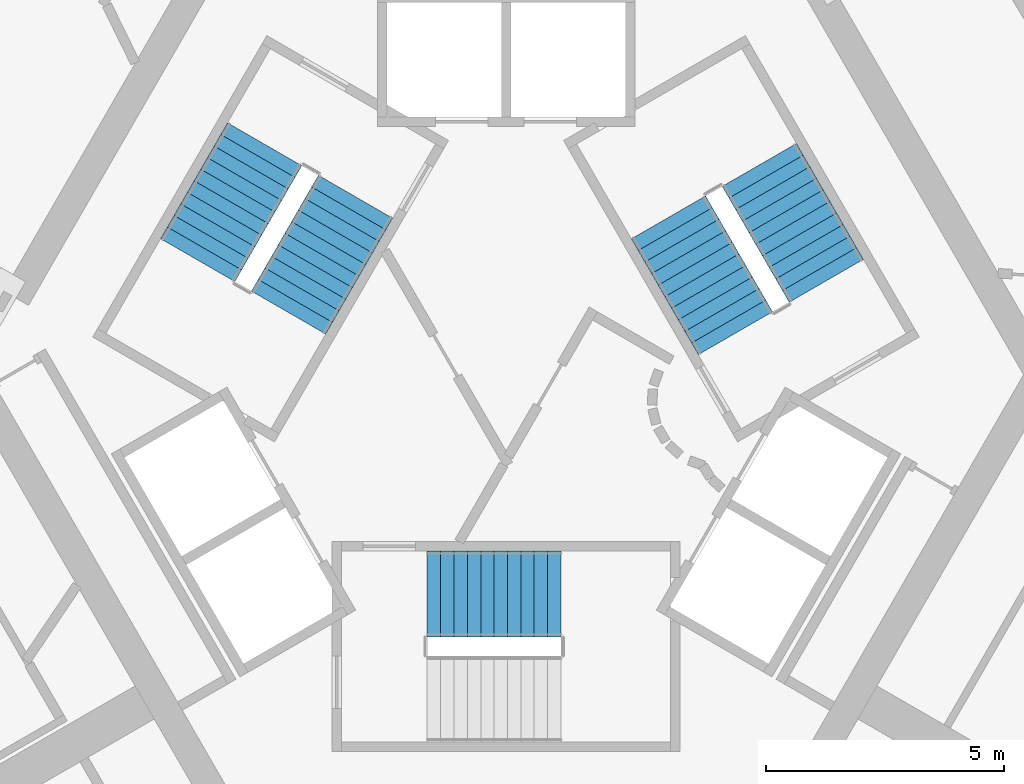
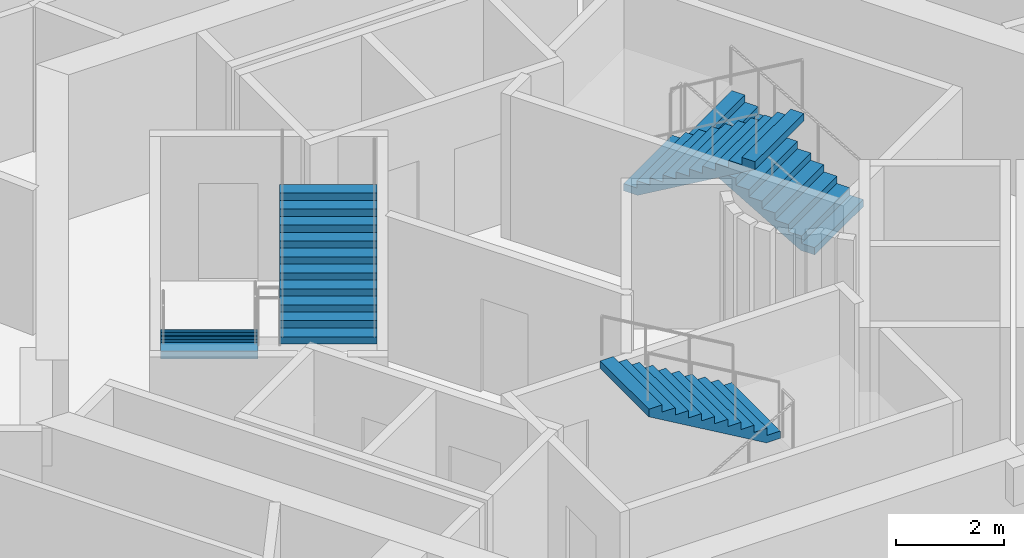
# One storey, part 10 of 13: 5 stair flights, 3 elements without a shape of their own.
"""IFC4 building model written with IfcOpenShell, lengths in metres."""

from ifc_helpers import new_model, si_unit, direction, frame, origin, place, context, subcontext, project, spatial, polyline, outline, extrude, material, type_object, element, aggregate, save


model = new_model("IFC4")

# Units and contexts
model_context = context("Model", 3, precision=1e-05, world=origin(), true_north=direction((0.0, 1.0)))
body_context = subcontext(model_context, "Body", "Model", "MODEL_VIEW")
ifc_project = project(units=[si_unit("LENGTHUNIT", "METRE"), si_unit("AREAUNIT", "SQUARE_METRE"), si_unit("VOLUMEUNIT", "CUBIC_METRE"), si_unit("PLANEANGLEUNIT", "RADIAN"), si_unit("MASSUNIT", "GRAM", prefix="KILO")], contexts=[model_context])

# Site, building, storey
site_placement = place(None, origin())
site = spatial("IfcSite", under=ifc_project, at=site_placement, CompositionType="ELEMENT")
building_placement = place(site_placement, origin())
building = spatial("IfcBuilding", under=site, at=building_placement, Name="Entoto Arch Interchange Tower", CompositionType="ELEMENT")
storey_placement = place(building_placement, frame((0.0, 0.0, 266.60009765625)))
storey = spatial("IfcBuildingStorey", under=building, at=storey_placement, Name="L61", CompositionType="ELEMENT", Elevation=266.60009765625)

# Stair, stair flight
ifc_material = material(Name="Concrete C40/50", Category="concrete")
stair_type = type_object("IfcStairType", Name="EXIT STAIR RC 1800", PredefinedType="HALF_TURN_STAIR", material=ifc_material)
stair_1_placement = place(storey_placement, origin())
stair_1 = element("IfcStair", 1, at=stair_1_placement, inside=storey, type_object=stair_type, Name="L61 Exit stair S", PredefinedType="HALF_TURN_STAIR")
stair_flight_type = type_object("IfcStairFlightType", Name="EXIT STAIR FLIGHT RC 1800", PredefinedType="STRAIGHT", material=ifc_material)
stair_flight_1_placement = place(storey_placement, frame((1.14990234375, -2.10009765625, 1.7998046875), z_axis=(0.0, 0.0, 1.0), x_axis=(-1.0, 0.0, 0.0)))
stair_flight_1 = element("IfcStairFlight", 2, at=stair_flight_1_placement, type_object=stair_flight_type, Name="ST-S flight 2", NumberOfRisers=11, NumberOfTreads=10, PredefinedType="STRAIGHT", RiserHeight=0.163636364, TreadLength=0.28, context=body_context, shape_type="SweptSolid", body=[
    extrude(outline(polyline([(-0.0029296875, 0.0), (-0.0029296875, 0.16357421875), (0.280029296875, 0.16357421875), (0.280029296875, 0.327392578125), (0.56005859375, 0.327392578125), (0.56005859375, 0.490966796875), (0.840087890625, 0.490966796875), (0.840087890625, 0.654541015625), (1.1201171875, 0.654541015625), (1.1201171875, 0.818115234375), (1.39990234375, 0.818115234375), (1.39990234375, 0.98193359375), (1.679931640625, 0.98193359375), (1.679931640625, 1.1455078125), (1.9599609375, 1.1455078125), (1.9599609375, 1.30908203125), (2.239990234375, 1.30908203125), (2.239990234375, 1.47265625), (2.52001953125, 1.47265625), (2.52001953125, 1.636474609375), (2.800048828125, 1.636474609375), (2.802978515625, 1.636474609375), (2.802978515625, 1.464599609375), (0.297119140625, 0.0), (-0.0029296875, 0.0)])), frame((0.0, 0.89990234375, 0.0), z_axis=(0.0, -1.0, 0.0), x_axis=(1.0, 0.0, 0.0)), (0.0, 0.0, 1.0), 1.800048828125),
])
aggregate(stair_1, [stair_flight_1])

# Stair, stair flights
stair_2_placement = place(storey_placement, origin())
stair_2 = element("IfcStair", 3, at=stair_2_placement, inside=storey, type_object=stair_type, Name="L61 Exit stair NE", PredefinedType="HALF_TURN_STAIR")
stair_flight_2_placement = place(storey_placement, frame((6.7138671875, 4.470947265625, 0.0), z_axis=(0.0, 0.0, 1.0), x_axis=(-0.5, 0.866025403784, 0.0)))
stair_flight_2 = element("IfcStairFlight", 4, at=stair_flight_2_placement, type_object=stair_flight_type, Name="ST-NE flight 1", NumberOfRisers=11, NumberOfTreads=10, PredefinedType="STRAIGHT", RiserHeight=0.163636364, TreadLength=0.28, context=body_context, shape_type="SweptSolid", body=[
    extrude(outline(polyline([(-0.0029296875, 0.0), (-0.0029296875, 0.16357421875), (0.280029296875, 0.16357421875), (0.280029296875, 0.327392578125), (0.56005859375, 0.327392578125), (0.56005859375, 0.490966796875), (0.840087890625, 0.490966796875), (0.840087890625, 0.654541015625), (1.1201171875, 0.654541015625), (1.1201171875, 0.818115234375), (1.39990234375, 0.818115234375), (1.39990234375, 0.98193359375), (1.679931640625, 0.98193359375), (1.679931640625, 1.1455078125), (1.9599609375, 1.1455078125), (1.9599609375, 1.30908203125), (2.239990234375, 1.30908203125), (2.239990234375, 1.47265625), (2.52001953125, 1.47265625), (2.52001953125, 1.636474609375), (2.800048828125, 1.636474609375), (2.802978515625, 1.636474609375), (2.802978515625, 1.464599609375), (0.297119140625, 0.0), (-0.0029296875, 0.0)])), frame((0.0, 0.89990234375, 0.0), z_axis=(0.0, -1.0, 0.0), x_axis=(1.0, 0.0, 0.0)), (0.0, 0.0, 1.0), 1.800048828125),
])
stair_flight_3_placement = place(storey_placement, frame((3.40869140625, 5.7958984375, 1.7998046875), z_axis=(0.0, 0.0, 1.0), x_axis=(0.5, -0.866025403784, 0.0)))
stair_flight_3 = element("IfcStairFlight", 5, at=stair_flight_3_placement, type_object=stair_flight_type, Name="ST-NE flight 2", NumberOfRisers=11, NumberOfTreads=10, PredefinedType="STRAIGHT", RiserHeight=0.163636364, TreadLength=0.28, context=body_context, shape_type="SweptSolid", body=[
    extrude(outline(polyline([(-0.0029296875, 0.0), (-0.0029296875, 0.16357421875), (0.280029296875, 0.16357421875), (0.280029296875, 0.327392578125), (0.56005859375, 0.327392578125), (0.56005859375, 0.490966796875), (0.840087890625, 0.490966796875), (0.840087890625, 0.654541015625), (1.1201171875, 0.654541015625), (1.1201171875, 0.818115234375), (1.39990234375, 0.818115234375), (1.39990234375, 0.98193359375), (1.679931640625, 0.98193359375), (1.679931640625, 1.1455078125), (1.9599609375, 1.1455078125), (1.9599609375, 1.30908203125), (2.239990234375, 1.30908203125), (2.239990234375, 1.47265625), (2.52001953125, 1.47265625), (2.52001953125, 1.636474609375), (2.800048828125, 1.636474609375), (2.802978515625, 1.636474609375), (2.802978515625, 1.464599609375), (0.297119140625, 0.0), (-0.0029296875, 0.0)])), frame((0.0, 0.89990234375, 0.0), z_axis=(0.0, -1.0, 0.0), x_axis=(1.0, 0.0, 0.0)), (0.0, 0.0, 1.0), 1.800048828125),
])
aggregate(stair_2, [stair_flight_2, stair_flight_3])

stair_3_placement = place(storey_placement, origin())
stair_3 = element("IfcStair", 6, at=stair_3_placement, inside=storey, type_object=stair_type, Name="L61 Exit stair NW", PredefinedType="HALF_TURN_STAIR")
stair_flight_4_placement = place(storey_placement, frame((-5.06396484375, 7.328857421875, 0.0), z_axis=(0.0, 0.0, 1.0), x_axis=(-0.5, -0.866025403784, 0.0)))
stair_flight_4 = element("IfcStairFlight", 7, at=stair_flight_4_placement, type_object=stair_flight_type, Name="ST-NW flight 1", NumberOfRisers=11, NumberOfTreads=10, PredefinedType="STRAIGHT", RiserHeight=0.163636364, TreadLength=0.28, context=body_context, shape_type="SweptSolid", body=[
    extrude(outline(polyline([(-0.0029296875, 0.0), (-0.0029296875, 0.16357421875), (0.280029296875, 0.16357421875), (0.280029296875, 0.327392578125), (0.56005859375, 0.327392578125), (0.56005859375, 0.490966796875), (0.840087890625, 0.490966796875), (0.840087890625, 0.654541015625), (1.1201171875, 0.654541015625), (1.1201171875, 0.818115234375), (1.39990234375, 0.818115234375), (1.39990234375, 0.98193359375), (1.679931640625, 0.98193359375), (1.679931640625, 1.1455078125), (1.9599609375, 1.1455078125), (1.9599609375, 1.30908203125), (2.239990234375, 1.30908203125), (2.239990234375, 1.47265625), (2.52001953125, 1.47265625), (2.52001953125, 1.636474609375), (2.800048828125, 1.636474609375), (2.802978515625, 1.636474609375), (2.802978515625, 1.464599609375), (0.297119140625, 0.0), (-0.0029296875, 0.0)])), frame((0.0, 0.89990234375, 0.0), z_axis=(0.0, -1.0, 0.0), x_axis=(1.0, 0.0, 0.0)), (0.0, 0.0, 1.0), 1.800048828125),
])
stair_flight_5_placement = place(storey_placement, frame((-4.558837890625, 3.803955078125, 1.7998046875), z_axis=(0.0, 0.0, 1.0), x_axis=(0.5, 0.866025403784, 0.0)))
stair_flight_5 = element("IfcStairFlight", 8, at=stair_flight_5_placement, type_object=stair_flight_type, Name="ST-NW flight 2", NumberOfRisers=11, NumberOfTreads=10, PredefinedType="STRAIGHT", RiserHeight=0.163636364, TreadLength=0.28, context=body_context, shape_type="SweptSolid", body=[
    extrude(outline(polyline([(-0.0029296875, 0.0), (-0.0029296875, 0.16357421875), (0.280029296875, 0.16357421875), (0.280029296875, 0.327392578125), (0.56005859375, 0.327392578125), (0.56005859375, 0.490966796875), (0.840087890625, 0.490966796875), (0.840087890625, 0.654541015625), (1.1201171875, 0.654541015625), (1.1201171875, 0.818115234375), (1.39990234375, 0.818115234375), (1.39990234375, 0.98193359375), (1.679931640625, 0.98193359375), (1.679931640625, 1.1455078125), (1.9599609375, 1.1455078125), (1.9599609375, 1.30908203125), (2.239990234375, 1.30908203125), (2.239990234375, 1.47265625), (2.52001953125, 1.47265625), (2.52001953125, 1.636474609375), (2.800048828125, 1.636474609375), (2.802978515625, 1.636474609375), (2.802978515625, 1.464599609375), (0.297119140625, 0.0), (-0.0029296875, 0.0)])), frame((0.0, 0.89990234375, 0.0), z_axis=(0.0, -1.0, 0.0), x_axis=(1.0, 0.0, 0.0)), (0.0, 0.0, 1.0), 1.800048828125),
])
aggregate(stair_3, [stair_flight_4, stair_flight_5])

save(model, "model.ifc")
